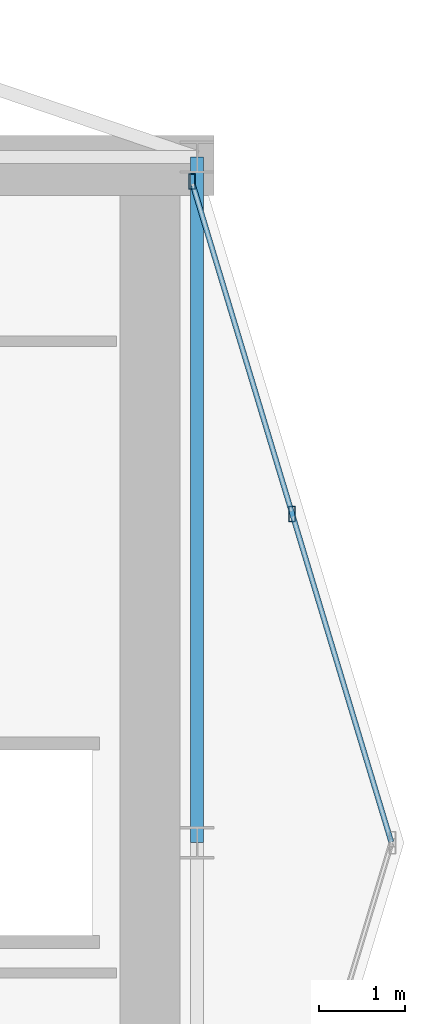
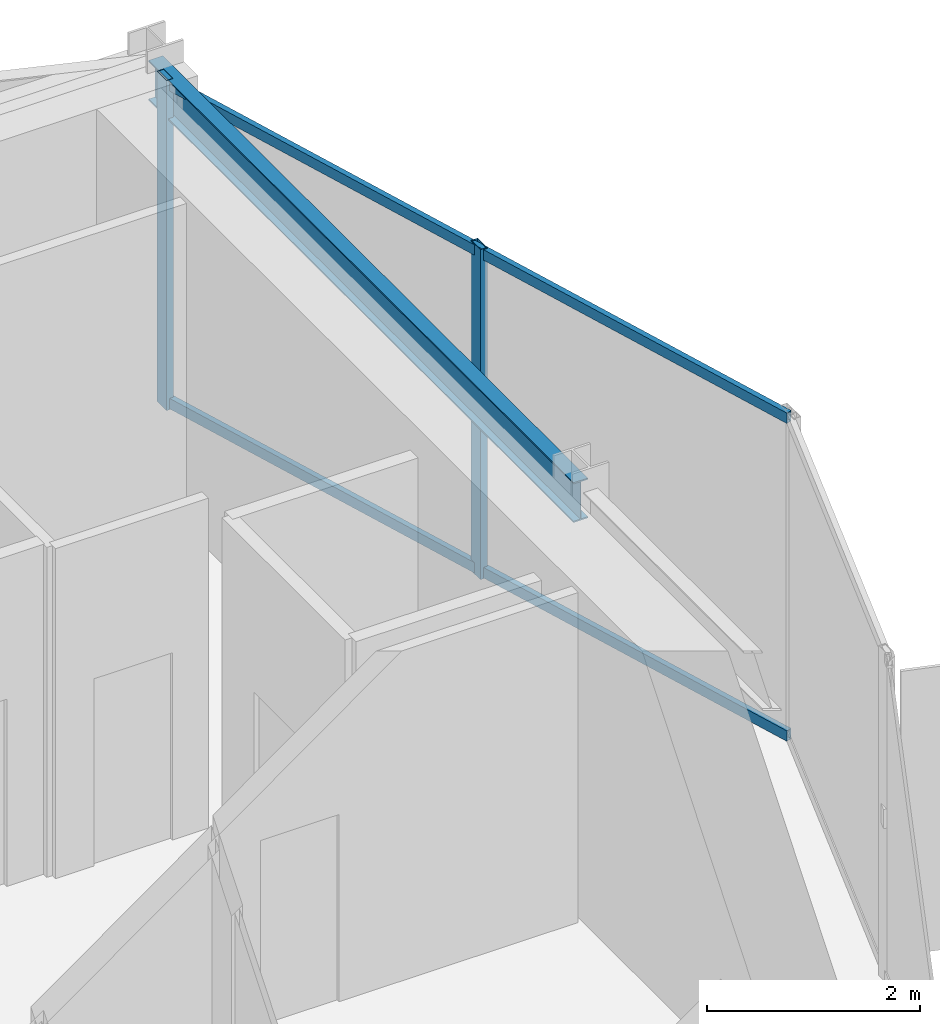
# One storey, part 16 of 24: 4 members, 1 beam, 1 element without a shape of its own.
"""IFC4 building model written with IfcOpenShell, lengths in metres."""

from ifc_helpers import new_model, si_unit, direction, frame, origin, origin_2d, place, context, subcontext, project, spatial, hollow_rectangle, i_section, extrude, material, layer, layer_set, material_profile, profile_set, type_object, element, aggregate, save


model = new_model("IFC4")

# Units and contexts
model_context = context("Model", 3, precision=1e-05, world=origin(), true_north=direction((0.0, 1.0)))
body_context = subcontext(model_context, "Body", "Model", "MODEL_VIEW")
ifc_project = project(units=[si_unit("LENGTHUNIT", "METRE"), si_unit("AREAUNIT", "SQUARE_METRE"), si_unit("VOLUMEUNIT", "CUBIC_METRE"), si_unit("PLANEANGLEUNIT", "RADIAN"), si_unit("MASSUNIT", "GRAM", prefix="KILO")], contexts=[model_context])

# Site, building, storey
site_placement = place(None, origin())
site = spatial("IfcSite", under=ifc_project, at=site_placement, CompositionType="ELEMENT")
building_placement = place(site_placement, origin())
building = spatial("IfcBuilding", under=site, at=building_placement, Name="Veymaron Broadcast Tower", CompositionType="ELEMENT")
storey_placement = place(building_placement, frame((0.0, 0.0, 220.199951171875)))
storey = spatial("IfcBuildingStorey", under=building, at=storey_placement, Name="L51", CompositionType="ELEMENT", Elevation=220.199951171875)

# Beam
ifc_material_1 = material(Name="Structural steel ASTM A992 Gr 50", Category="steel")
ifc_material_profile_1 = material_profile(ifc_material_1, i_section(OverallWidth=0.154052734375, OverallDepth=0.458984375, WebThickness=0.009033203125, FlangeThickness=0.015380859375, at=origin_2d()), Name="W460X68")
ifc_profile_set_1 = profile_set([ifc_material_profile_1], Name="Structural steel ASTM A992 Gr 50")
beam_type = type_object("IfcBeamType", Name="BM-SP2", PredefinedType="SPANDREL", material=ifc_profile_set_1)
beam_placement = place(storey_placement, frame((54.60009765625, 24.0, 3.560546875), z_axis=(0.0, 1.0, 0.0), x_axis=(-1.0, 0.0, 0.0)))
element("IfcBeam", 1, at=beam_placement, inside=storey, type_object=beam_type, Name="L51 primary structural floor girder", PredefinedType="SPANDREL", context=body_context, shape_type="SweptSolid", body=[
    extrude(i_section(OverallWidth=0.154052734375, OverallDepth=0.458984375, WebThickness=0.009033203125, FlangeThickness=0.015380859375, at=origin_2d()), origin(), (0.0, 0.0, 1.0), 8.0),
])

# Curtain wall, members
ifc_material_2 = material(Name="Anodised aluminium AA 6063-T6 and laminated low-E dark glass", Category="aluminium")
ifc_layer = layer(ifc_material_2, 0.179931640625)
ifc_layer_set = layer_set([ifc_layer], Name="Anodised aluminium AA 6063-T6 and laminated low-E dark glass")
curtain_wall_type = type_object("IfcCurtainWallType", Name="CW-SYS-05", PredefinedType="NOTDEFINED", material=ifc_layer_set)
curtain_wall_placement = place(storey_placement, origin())
curtain_wall = element("IfcCurtainWall", 2, at=curtain_wall_placement, inside=storey, type_object=curtain_wall_type, Name="L51 dark-glass curtain wall CW-L51-E3-1", PredefinedType="NOTDEFINED")
ifc_material_3 = material(Name="Anodised aluminium AA 6063-T6", Category="aluminium")
ifc_material_profile_2 = material_profile(ifc_material_3, hollow_rectangle(XDim=0.074951171875, YDim=0.179931640625, WallThickness=0.0048828125, at=origin_2d()), Name="AL180X75X5")
ifc_profile_set_2 = profile_set([ifc_material_profile_2], Name="Anodised aluminium AA 6063-T6")
member_type_1 = type_object("IfcMemberType", Name="CW-MUL-02", PredefinedType="MULLION", material=ifc_profile_set_2)
member_1_placement = place(storey_placement, frame((55.710205078125, 27.837646484375, 0.0), z_axis=(0.0, 0.0, 1.0), x_axis=(1.0, 0.0, 0.0)))
member_1 = element("IfcMember", 3, at=member_1_placement, type_object=member_type_1, Name="CW-L51-E3-1 mullion 1", PredefinedType="MULLION", context=body_context, shape_type="SweptSolid", body=[
    extrude(hollow_rectangle(XDim=0.074951171875, YDim=0.179931640625, WallThickness=0.0048828125, at=origin_2d()), origin(), (0.0, 0.0, 1.0), 3.7900390625),
])
member_2_placement = place(storey_placement, frame((54.53955078125, 31.716064453125, 0.0), z_axis=(0.0, 0.0, 1.0), x_axis=(1.0, 0.0, 0.0)))
member_2 = element("IfcMember", 4, at=member_2_placement, type_object=member_type_1, Name="CW-L51-E3-1 mullion 2", PredefinedType="MULLION", context=body_context, shape_type="SweptSolid", body=[
    extrude(hollow_rectangle(XDim=0.074951171875, YDim=0.179931640625, WallThickness=0.0048828125, at=origin_2d()), origin(), (0.0, 0.0, 1.0), 3.7900390625),
])
ifc_material_profile_3 = material_profile(ifc_material_3, hollow_rectangle(XDim=0.06005859375, YDim=0.1201171875, WallThickness=0.00390625, at=origin_2d()), Name="AL120X60X4")
ifc_profile_set_3 = profile_set([ifc_material_profile_3], Name="Anodised aluminium AA 6063-T6")
member_type_2 = type_object("IfcMemberType", Name="CW-TRN-02", PredefinedType="USERDEFINED", material=ifc_profile_set_3)
member_3_placement = place(storey_placement, frame((56.86669921875, 24.00732421875, 0.070068359375), z_axis=(-0.289007229702, 0.957326914476, 0.0), x_axis=(-0.957326914476, -0.289007229702, 0.0)))
member_3 = element("IfcMember", 5, at=member_3_placement, type_object=member_type_2, Name="CW-L51-E3-1 transom B", ObjectType="TRANSOM", PredefinedType="USERDEFINED", context=body_context, shape_type="SweptSolid", body=[
    extrude(hollow_rectangle(XDim=0.06005859375, YDim=0.1201171875, WallThickness=0.00390625, at=origin_2d()), origin(), (0.0, 0.0, 1.0), 8.00244140625),
])
member_4_placement = place(storey_placement, frame((56.86669921875, 24.00732421875, 3.719970703125), z_axis=(-0.289007229702, 0.957326914476, 0.0), x_axis=(-0.957326914476, -0.289007229702, 0.0)))
member_4 = element("IfcMember", 6, at=member_4_placement, type_object=member_type_2, Name="CW-L51-E3-1 transom T", ObjectType="TRANSOM", PredefinedType="USERDEFINED", context=body_context, shape_type="SweptSolid", body=[
    extrude(hollow_rectangle(XDim=0.06005859375, YDim=0.1201171875, WallThickness=0.00390625, at=origin_2d()), origin(), (0.0, 0.0, 1.0), 8.00244140625),
])
aggregate(curtain_wall, [member_1, member_2, member_3, member_4])

save(model, "model.ifc")
